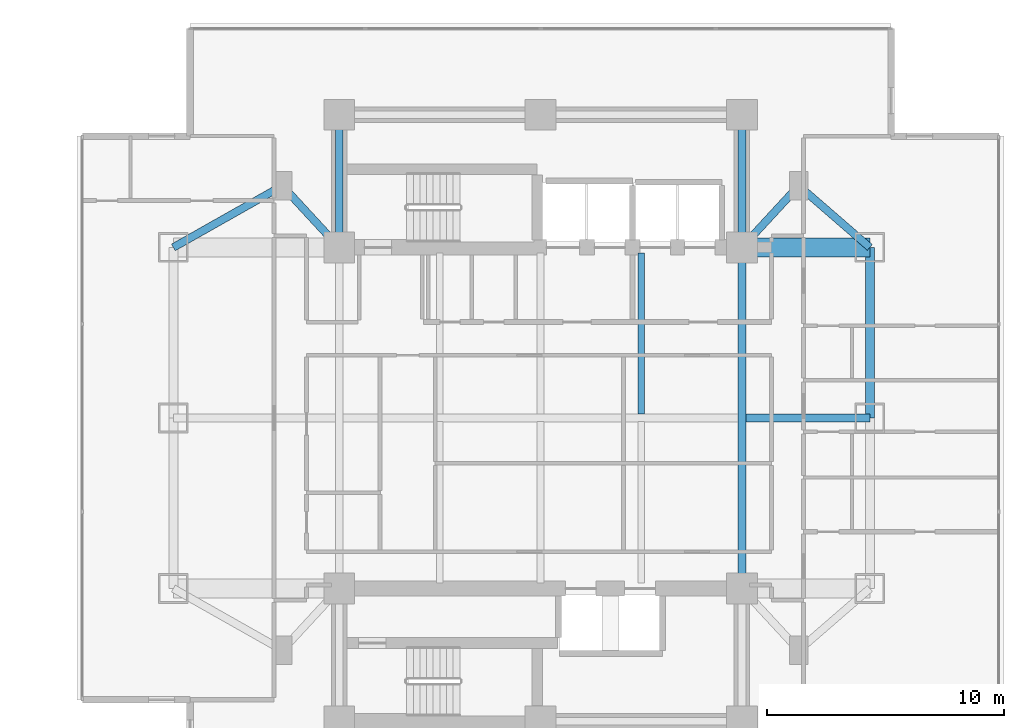
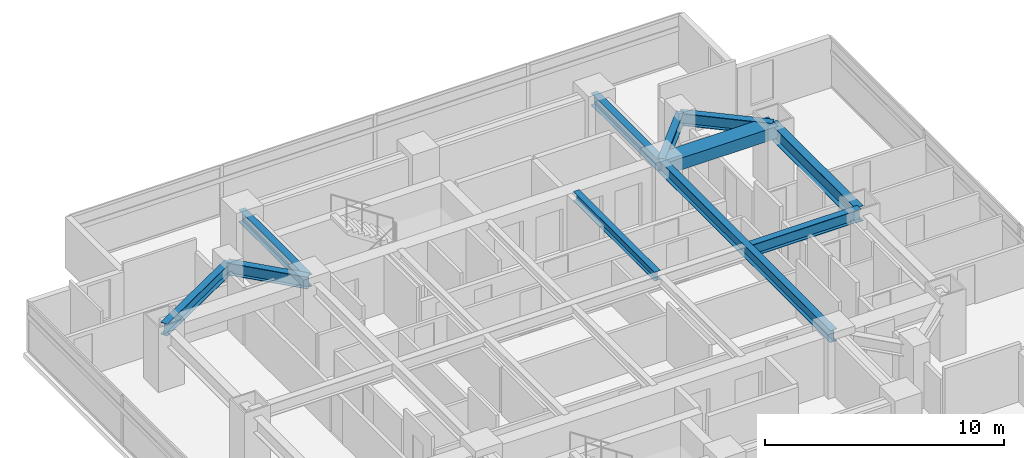
# One storey, part 10 of 26: 11 beams.
"""IFC4 building model written with IfcOpenShell, lengths in metres."""

from ifc_helpers import new_model, si_unit, direction, frame, origin, origin_2d, place, context, subcontext, project, spatial, rectangle, i_section, extrude, material, material_profile, profile_set, type_object, element, save


model = new_model("IFC4")

# Units and contexts
model_context = context("Model", 3, precision=1e-05, world=origin(), true_north=direction((0.0, 1.0)))
body_context = subcontext(model_context, "Body", "Model", "MODEL_VIEW")
ifc_project = project(units=[si_unit("LENGTHUNIT", "METRE"), si_unit("AREAUNIT", "SQUARE_METRE"), si_unit("VOLUMEUNIT", "CUBIC_METRE"), si_unit("PLANEANGLEUNIT", "RADIAN"), si_unit("MASSUNIT", "GRAM", prefix="KILO")], contexts=[model_context])

# Site, building, storey
site_placement = place(None, origin())
site = spatial("IfcSite", under=ifc_project, at=site_placement, CompositionType="ELEMENT")
building_placement = place(site_placement, origin())
building = spatial("IfcBuilding", under=site, at=building_placement, Name="Mirazonda Arch Towers", CompositionType="ELEMENT")
storey_placement = place(building_placement, frame((0.0, 0.0, 78.5)))
storey = spatial("IfcBuildingStorey", under=building, at=storey_placement, Name="L22", CompositionType="ELEMENT", Elevation=78.5)

# Beams
ifc_material_1 = material(Name="Steel ASTM A992 Grade 50", Category="steel")
ifc_material_profile_1 = material_profile(ifc_material_1, i_section(OverallWidth=0.381103515625, OverallDepth=0.77294921875, WebThickness=0.0166015625, FlangeThickness=0.027099609375, at=origin_2d()), Name="W30X173")
ifc_profile_set_1 = profile_set([ifc_material_profile_1], Name="Steel ASTM A992 Grade 50")
beam_type_1 = type_object("IfcBeamType", Name="BM-EXT-W30X173", PredefinedType="USERDEFINED", material=ifc_profile_set_1)
beam_1_placement = place(storey_placement, frame((90.39990234375, 28.0, 2.553466796875), z_axis=(0.0, 1.0, 0.0), x_axis=(-1.0, 0.0, 0.0)))
element("IfcBeam", 1, at=beam_1_placement, inside=storey, type_object=beam_type_1, Name="L22 Floor Beam BMT-T2-L22-NS-E-28", ObjectType="GIRDER", PredefinedType="USERDEFINED", context=body_context, shape_type="SweptSolid", body=[
    extrude(i_section(OverallWidth=0.381103515625, OverallDepth=0.77294921875, WebThickness=0.0166015625, FlangeThickness=0.027099609375, at=origin_2d()), origin(), (0.0, 0.0, 1.0), 7.199951171875),
])
ifc_material_profile_2 = material_profile(ifc_material_1, i_section(OverallWidth=0.280029296875, OverallDepth=0.462890625, WebThickness=0.0107421875, FlangeThickness=0.017333984375, at=origin_2d()), Name="W18X76")
ifc_profile_set_2 = profile_set([ifc_material_profile_2], Name="Steel ASTM A992 Grade 50")
beam_type_2 = type_object("IfcBeamType", Name="BM-INT-W18X76", PredefinedType="JOIST", material=ifc_profile_set_2)
beam_2_placement = place(storey_placement, frame((80.75, 28.158447265625, 2.70849609375), z_axis=(0.0, 1.0, 0.0), x_axis=(-1.0, 0.0, 0.0)))
element("IfcBeam", 2, at=beam_2_placement, inside=storey, type_object=beam_type_2, Name="L22 Floor Beam BM-T2-L22-J-807-28", PredefinedType="JOIST", context=body_context, shape_type="SweptSolid", body=[
    extrude(i_section(OverallWidth=0.280029296875, OverallDepth=0.462890625, WebThickness=0.0107421875, FlangeThickness=0.017333984375, at=origin_2d()), origin(), (0.0, 0.0, 1.0), 6.801513671875),
])
ifc_material_profile_3 = material_profile(ifc_material_1, i_section(OverallWidth=0.324951171875, OverallDepth=0.615966796875, WebThickness=0.013916015625, FlangeThickness=0.021484375, at=origin_2d()), Name="W24X117")
ifc_profile_set_3 = profile_set([ifc_material_profile_3], Name="Steel ASTM A992 Grade 50")
beam_type_3 = type_object("IfcBeamType", Name="BM-INT-W24X117", PredefinedType="BEAM", material=ifc_profile_set_3)
for number, where, z_axis, x_axis, name in (
    (3, (68.0, 35.199951171875, 2.632080078125), (0.0, 1.0, 0.0), (-1.0, 0.0, 0.0), "L22 Floor Beam BMT-T2-L22-CNW"),
    (4, (85.0, 35.199951171875, 2.632080078125), (0.0, 1.0, 0.0), (-1.0, 0.0, 0.0), "L22 Floor Beam BMT-T2-L22-CNE"),
):
    element("IfcBeam", number, at=place(storey_placement, frame(where, z_axis=z_axis, x_axis=x_axis)), inside=storey, type_object=beam_type_3, Name=name, PredefinedType="BEAM", context=body_context, shape_type="SweptSolid", body=[
        extrude(i_section(OverallWidth=0.324951171875, OverallDepth=0.615966796875, WebThickness=0.013916015625, FlangeThickness=0.021484375, at=origin_2d()), origin(), (0.0, 0.0, 1.0), 5.60009765625),
    ])
beam_3_placement = place(storey_placement, frame((85.16259765625, 28.0, 2.632080078125), z_axis=(1.0, 0.0, 0.0), x_axis=(0.0, 1.0, 0.0)))
element("IfcBeam", 5, at=beam_3_placement, inside=storey, type_object=beam_type_3, Name="L22 Floor Beam BMT-T2-L22-GE2", PredefinedType="BEAM", context=body_context, shape_type="SweptSolid", body=[
    extrude(i_section(OverallWidth=0.324951171875, OverallDepth=0.615966796875, WebThickness=0.013916015625, FlangeThickness=0.021484375, at=origin_2d()), origin(), (0.0, 0.0, 1.0), 5.2373046875),
])
beam_4_placement = place(storey_placement, frame((85.0, 20.800048828125, 2.632080078125), z_axis=(0.0, 1.0, 0.0), x_axis=(-1.0, 0.0, 0.0)))
element("IfcBeam", 6, at=beam_4_placement, inside=storey, type_object=beam_type_3, Name="L22 Floor Beam BMT-T2-L22-NS-CE-FULL", PredefinedType="BEAM", context=body_context, shape_type="SweptSolid", body=[
    extrude(i_section(OverallWidth=0.324951171875, OverallDepth=0.615966796875, WebThickness=0.013916015625, FlangeThickness=0.021484375, at=origin_2d()), origin(), (0.0, 0.0, 1.0), 14.39990234375),
])
beam_5_placement = place(storey_placement, frame((65.60009765625, 37.800048828125, 2.632080078125), z_axis=(0.678251444854, -0.734829897019, 0.0), x_axis=(0.734829897019, 0.678251444854, 0.0)))
element("IfcBeam", 7, at=beam_5_placement, inside=storey, type_object=beam_type_3, Name="L22 Floor Beam BMT-T2-L22-PL-NW1", PredefinedType="BEAM", context=body_context, shape_type="SweptSolid", body=[
    extrude(i_section(OverallWidth=0.324951171875, OverallDepth=0.615966796875, WebThickness=0.013916015625, FlangeThickness=0.021484375, at=origin_2d()), origin(), (0.0, 0.0, 1.0), 3.538330078125),
])
beam_6_placement = place(storey_placement, frame((65.60009765625, 37.800048828125, 2.632080078125), z_axis=(-0.870559396632, -0.492063346467, 0.0), x_axis=(0.492063346467, -0.870559396632, 0.0)))
element("IfcBeam", 8, at=beam_6_placement, inside=storey, type_object=beam_type_3, Name="L22 Floor Beam BMT-T2-L22-PL-NW2", PredefinedType="BEAM", context=body_context, shape_type="SweptSolid", body=[
    extrude(i_section(OverallWidth=0.324951171875, OverallDepth=0.615966796875, WebThickness=0.013916015625, FlangeThickness=0.021484375, at=origin_2d()), origin(), (0.0, 0.0, 1.0), 5.2841796875),
])
beam_7_placement = place(storey_placement, frame((87.39990234375, 37.800048828125, 2.632080078125), z_axis=(-0.678251444854, -0.734829897019, 0.0), x_axis=(0.734829897019, -0.678251444854, 0.0)))
element("IfcBeam", 9, at=beam_7_placement, inside=storey, type_object=beam_type_3, Name="L22 Floor Beam BMT-T2-L22-PL-NE1", PredefinedType="BEAM", context=body_context, shape_type="SweptSolid", body=[
    extrude(i_section(OverallWidth=0.324951171875, OverallDepth=0.615966796875, WebThickness=0.013916015625, FlangeThickness=0.021484375, at=origin_2d()), origin(), (0.0, 0.0, 1.0), 3.538330078125),
])
beam_8_placement = place(storey_placement, frame((87.39990234375, 37.800048828125, 2.632080078125), z_axis=(0.755676908098, -0.654944585876, 0.0), x_axis=(0.654944585876, 0.755676908098, 0.0)))
element("IfcBeam", 10, at=beam_8_placement, inside=storey, type_object=beam_type_3, Name="L22 Floor Beam BMT-T2-L22-PL-NE2", PredefinedType="BEAM", context=body_context, shape_type="SweptSolid", body=[
    extrude(i_section(OverallWidth=0.324951171875, OverallDepth=0.615966796875, WebThickness=0.013916015625, FlangeThickness=0.021484375, at=origin_2d()), origin(), (0.0, 0.0, 1.0), 3.969970703125),
])
ifc_material_2 = material(Name="Concrete C60/75", Category="concrete")
ifc_material_profile_4 = material_profile(ifc_material_2, rectangle(XDim=0.800048828125, YDim=0.60009765625, at=origin_2d()), Name="RCCB800x600")
ifc_profile_set_4 = profile_set([ifc_material_profile_4], Name="Concrete C60/75")
beam_type_4 = type_object("IfcBeamType", Name="CB-INT-RCCB800x600", PredefinedType="SPANDREL", material=ifc_profile_set_4)
beam_9_placement = place(storey_placement, frame((85.0, 35.199951171875, 2.639892578125), z_axis=(1.0, 0.0, 0.0), x_axis=(0.0, 1.0, 0.0)))
element("IfcBeam", 11, at=beam_9_placement, inside=storey, type_object=beam_type_4, Name="L22 Floor Beam CBC-T2-L22-NE", PredefinedType="SPANDREL", context=body_context, shape_type="SweptSolid", body=[
    extrude(rectangle(XDim=0.800048828125, YDim=0.60009765625, at=origin_2d()), origin(), (0.0, 0.0, 1.0), 5.39990234375),
])

save(model, "model.ifc")
